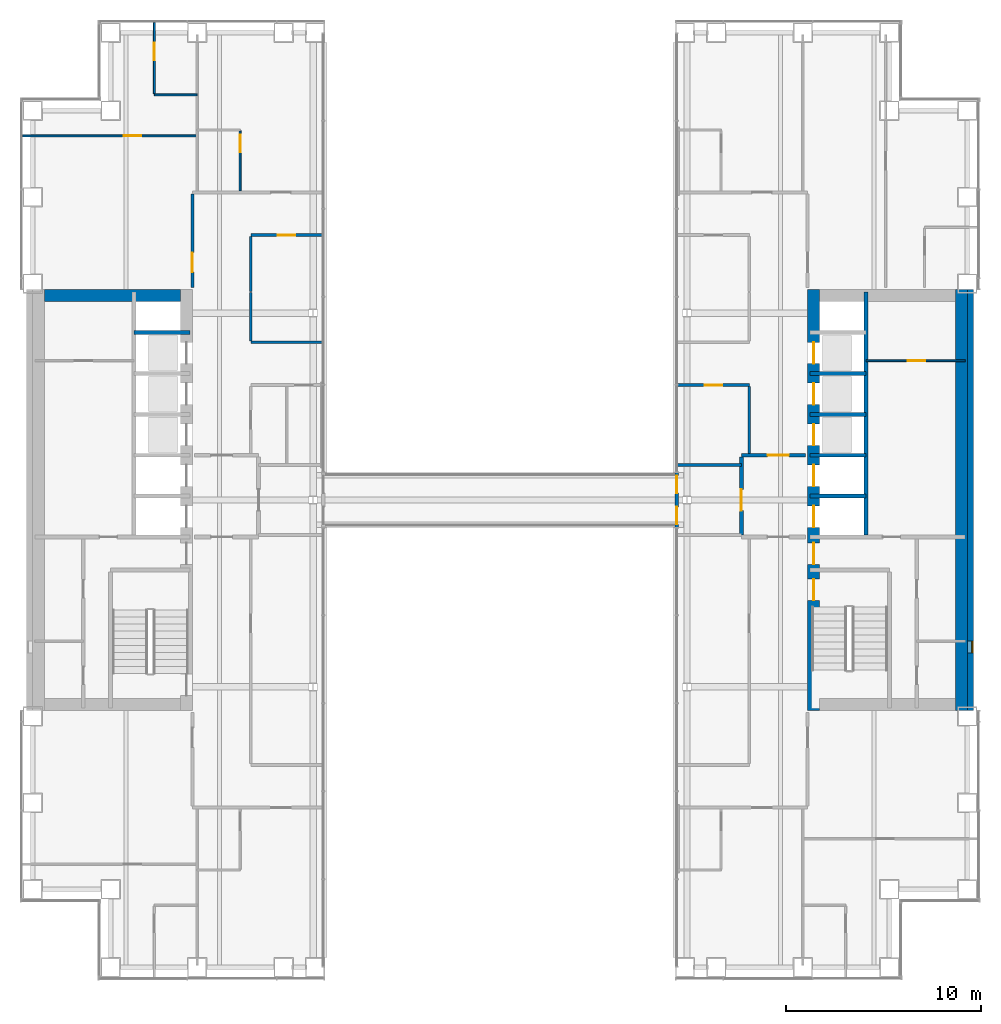
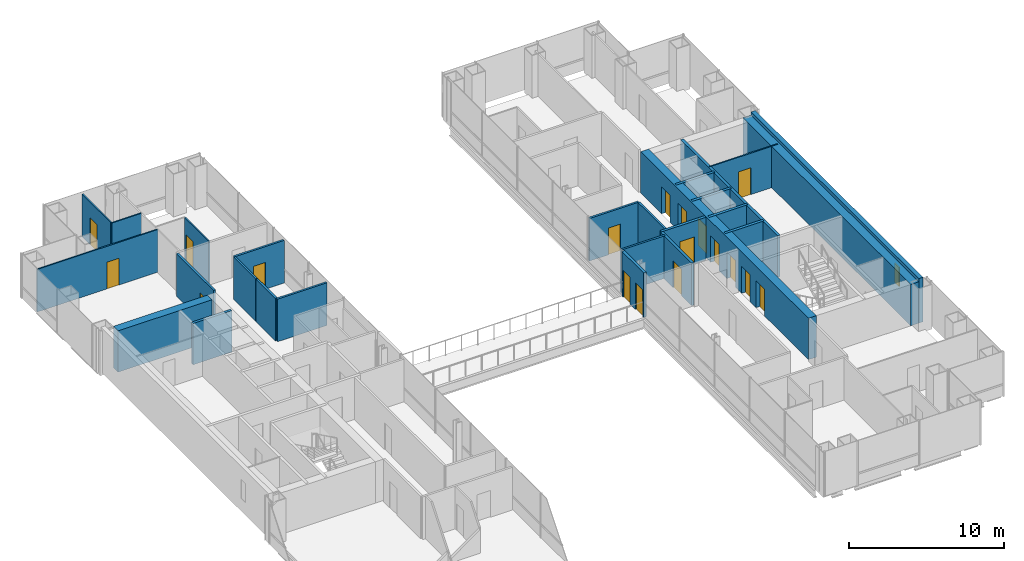
# One storey, part 15 of 18: 26 walls, 18 doors, 1 window, 19 openings.
"""IFC4 building model written with IfcOpenShell, lengths in metres."""

import ifcopenshell
import ifcopenshell.guid

model = None  # the IFC model being written
_history = None  # IfcOwnerHistory: only IFC2X3 demands one
_inside = {}  # id of a spatial element -> (the spatial element, [elements in it])
_under = {}  # id of a project, library or spatial element -> (it, [spatial elements below it])
_declared = {}  # id of a project -> (the project, [libraries it declares])
_typed = {}  # id of a type object -> (the type object, [elements of that type])
_made_of = {}  # id of a material, layer set ... -> (it, [elements and type objects made of it])


def new_model(schema):
    """Start an empty IFC model of exactly this schema.

    Asked for "IFC4X3", IfcOpenShell would pick the latest addendum, in which some entities
    have other attributes; the version numbers below select the first issue.
    IFC2X3 requires an IfcOwnerHistory on every rooted entity: one is made here for all.
    """
    global model, _history
    if schema == "IFC4X3":
        model = ifcopenshell.file(schema_version=(4, 3, 0, 0))
    else:
        model = ifcopenshell.file(schema=schema)
    _inside.clear()
    _under.clear()
    _declared.clear()
    _typed.clear()
    _made_of.clear()
    _history = None
    if model.schema == "IFC2X3":
        org = make("IfcOrganization", Name="unknown")
        user = make(
            "IfcPersonAndOrganization",
            ThePerson=make("IfcPerson", FamilyName="unknown"),
            TheOrganization=org,
        )
        app = make(
            "IfcApplication",
            ApplicationDeveloper=org,
            Version="unknown",
            ApplicationFullName="unknown",
            ApplicationIdentifier="unknown",
        )
        _history = make(
            "IfcOwnerHistory",
            OwningUser=user,
            OwningApplication=app,
            ChangeAction="ADDED",
            CreationDate=0,
        )
    return model


def make(cls, **values):
    """One entity of the class cls with the attributes given. An attribute that is None is left unset."""
    return model.create_entity(
        cls, **{name: value for name, value in values.items() if value is not None}
    )


def rooted(cls, **values):
    """An entity with a GlobalId (a new one), such as an element, a storey or a relation."""
    return make(cls, GlobalId=ifcopenshell.guid.new(), OwnerHistory=_history, **values)


def si_unit(unit_type, name, prefix=None):
    """IfcSIUnit, for example si_unit("LENGTHUNIT", "METRE", prefix="MILLI")."""
    return make("IfcSIUnit", UnitType=unit_type, Prefix=prefix, Name=name)


def assignment(units):
    """IfcUnitAssignment: the units of a project."""
    return None if units is None else make("IfcUnitAssignment", Units=units)


def point(xyz):
    """IfcCartesianPoint."""
    return None if xyz is None else make("IfcCartesianPoint", Coordinates=xyz)


def direction(xyz):
    """IfcDirection."""
    return None if xyz is None else make("IfcDirection", DirectionRatios=xyz)


def frame(location, z_axis=None, x_axis=None):
    """IfcAxis2Placement3D, a coordinate frame: its origin and axes. An axis left out is left unset."""
    return make(
        "IfcAxis2Placement3D",
        Location=point(location),
        Axis=direction(z_axis),
        RefDirection=direction(x_axis),
    )


def frame_2d(location, x_axis=None):
    """IfcAxis2Placement2D, a coordinate frame in the plane: its origin and x axis."""
    return make(
        "IfcAxis2Placement2D", Location=point(location), RefDirection=direction(x_axis)
    )


def origin():
    """The frame at (0, 0, 0) with its axes left unset."""
    return frame((0.0, 0.0, 0.0))


def place(relative_to, where):
    """IfcLocalPlacement: puts the frame where relative to a parent placement (None: the world)."""
    return make(
        "IfcLocalPlacement", PlacementRelTo=relative_to, RelativePlacement=where
    )


def context(
    kind, dimensions, precision=None, world=None, true_north=None, identifier=None
):
    """IfcGeometricRepresentationContext, for example the 3D "Model" context."""
    return make(
        "IfcGeometricRepresentationContext",
        ContextIdentifier=identifier,
        ContextType=kind,
        CoordinateSpaceDimension=dimensions,
        Precision=precision,
        WorldCoordinateSystem=world,
        TrueNorth=true_north,
    )


def subcontext(parent, identifier, kind, view, scale=None):
    """IfcGeometricRepresentationSubContext, for example "Body" below "Model"."""
    return make(
        "IfcGeometricRepresentationSubContext",
        ContextIdentifier=identifier,
        ContextType=kind,
        ParentContext=parent,
        TargetScale=scale,
        TargetView=view,
    )


def project(units=None, contexts=None):
    """IfcProject with its units and contexts."""
    return rooted(
        "IfcProject",
        Name="project",
        RepresentationContexts=contexts,
        UnitsInContext=assignment(units),
    )


def spatial(cls, under=None, at=None, **own):
    """A site, building, storey or space (cls), placed at a placement, below another one or the project."""
    s = rooted(cls, ObjectPlacement=at, **own)
    if under is not None:
        _under.setdefault(under.id(), (under, []))[1].append(s)
    return s


def profile(cls, at=None, kind="AREA", **sizes):
    """A parametric profile (cls). Its sizes go by their IFC names, for example OverallWidth=200.0."""
    return make(cls, ProfileType=kind, Position=at, **sizes)


def rectangle(**sizes):
    """IfcRectangleProfileDef."""
    return profile("IfcRectangleProfileDef", **sizes)


def extrude(swept, where, along, depth):
    """IfcExtrudedAreaSolid: the profile swept, set in the frame where, extruded along a direction by depth."""
    return make(
        "IfcExtrudedAreaSolid",
        SweptArea=swept,
        Position=where,
        ExtrudedDirection=direction(along),
        Depth=depth,
    )


def shape(context_of_items, identifier, shape_type, items):
    """IfcShapeRepresentation: the items that make up one representation, for example the "Body"."""
    return make(
        "IfcShapeRepresentation",
        ContextOfItems=context_of_items,
        RepresentationIdentifier=identifier,
        RepresentationType=shape_type,
        Items=items,
    )


def material(Name=None, Category=None):
    """IfcMaterial."""
    return make("IfcMaterial", Name=Name, Category=Category)


def layer(
    of_material, thickness, ventilated=None, Name=None, Category=None, Priority=None
):
    """IfcMaterialLayer: one layer of a wall or slab, of a material (None: an air gap)."""
    return make(
        "IfcMaterialLayer",
        Material=of_material,
        LayerThickness=thickness,
        IsVentilated=ventilated,
        Name=Name,
        Category=Category,
        Priority=Priority,
    )


def layer_set(layers, Name=None):
    """IfcMaterialLayerSet."""
    return make("IfcMaterialLayerSet", MaterialLayers=layers, LayerSetName=Name)


def made_of(thing, what):
    """Note that an element or type object is made of a material, layer set ...; save() writes the relation."""
    if what is not None:
        _made_of.setdefault(what.id(), (what, []))[1].append(thing)
    return thing


def type_object(cls, material=None, **own):
    """A type object (cls), such as IfcWallType, which elements share."""
    return made_of(rooted(cls, **own), material)


def element(
    cls,
    number,
    at=None,
    inside=None,
    cuts=None,
    type_object=None,
    material=None,
    context=None,
    identifier="Body",
    shape_type=None,
    held_by="IfcProductDefinitionShape",
    body=None,
    shapes=None,
    **own,
):
    """One element of the class cls, such as IfcWall. Its Tag is "e" and its number.

    at: its placement. inside: the storey or other place that contains it. cuts: it is an
    opening in that element (IfcRelVoidsElement). A single representation is given by context,
    identifier, shape_type and body (its items); several are given by shapes. held_by: the class
    of the entity that holds the representations. save() writes the other relations.
    """
    e = rooted(cls, Tag="e%d" % number, ObjectPlacement=at, **own)
    if body is not None:
        shapes = [shape(context, identifier, shape_type, body)]
    if shapes is not None:
        e.Representation = make(held_by, Representations=shapes)
    if inside is not None:
        _inside.setdefault(inside.id(), (inside, []))[1].append(e)
    if cuts is not None:
        rooted(
            "IfcRelVoidsElement", RelatingBuildingElement=cuts, RelatedOpeningElement=e
        )
    if type_object is not None:
        _typed.setdefault(type_object.id(), (type_object, []))[1].append(e)
    return made_of(e, material)


def fill(opening, filler):
    """IfcRelFillsElement: the door or window that sits in an opening."""
    return rooted(
        "IfcRelFillsElement",
        RelatingOpeningElement=opening,
        RelatedBuildingElement=filler,
    )


def aggregate(whole, parts):
    """IfcRelAggregates: a whole, such as a stair, and the parts it consists of."""
    return rooted("IfcRelAggregates", RelatingObject=whole, RelatedObjects=parts)


def save(model, path):
    """Write the relations noted so far, then the file.

    IfcRelAggregates (storeys below a building ...), IfcRelContainedInSpatialStructure (elements
    in a storey), IfcRelDefinesByType, IfcRelAssociatesMaterial and IfcRelDeclares: one each for
    every whole, place, type object, material and project.
    """
    for whole, parts in _under.values():
        aggregate(whole, parts)
    for where, things in _inside.values():
        rooted(
            "IfcRelContainedInSpatialStructure",
            RelatedElements=things,
            RelatingStructure=where,
        )
    for kind, things in _typed.values():
        rooted("IfcRelDefinesByType", RelatedObjects=things, RelatingType=kind)
    for what, things in _made_of.values():
        rooted("IfcRelAssociatesMaterial", RelatedObjects=things, RelatingMaterial=what)
    for by, libraries in _declared.values():
        rooted("IfcRelDeclares", RelatingContext=by, RelatedDefinitions=libraries)
    model.write(path)


model = new_model("IFC4")

# Units and contexts
model_context = context("Model", 3, precision=1e-05, world=origin(), true_north=direction((0.0, 1.0)))
body_context = subcontext(model_context, "Body", "Model", "MODEL_VIEW")
ifc_project = project(units=[si_unit("LENGTHUNIT", "METRE"), si_unit("AREAUNIT", "SQUARE_METRE"), si_unit("VOLUMEUNIT", "CUBIC_METRE"), si_unit("PLANEANGLEUNIT", "RADIAN"), si_unit("MASSUNIT", "GRAM", prefix="KILO")], contexts=[model_context])

# Site, building, storey
site_placement = place(None, origin())
site = spatial("IfcSite", under=ifc_project, at=site_placement, CompositionType="ELEMENT")
building_placement = place(site_placement, origin())
building = spatial("IfcBuilding", under=site, at=building_placement, Name="Cobrizo Arcos Hotel Tower", CompositionType="ELEMENT")
storey_placement = place(building_placement, frame((0.0, 0.0, 77.5)))
storey = spatial("IfcBuildingStorey", under=building, at=storey_placement, Name="L18", CompositionType="ELEMENT", Elevation=77.5)

# Wall
ifc_material_1 = material(Name="Gypsum board partition")
ifc_layer_1 = layer(ifc_material_1, 0.14990234375)
ifc_layer_set_1 = layer_set([ifc_layer_1], Name="Corridor wall EI 60 150")
wall_type_1 = type_object("IfcWallType", Name="Corridor wall EI 60 150", PredefinedType="PARTITIONING", material=ifc_layer_set_1)
wall_1_placement = place(storey_placement, frame((9.1201171875, 1.800048828125, 0.0), z_axis=(0.0, 0.0, 1.0), x_axis=(1.0, 0.0, 0.0)))
element("IfcWall", 1, at=wall_1_placement, inside=storey, type_object=wall_type_1, Name="Partition 024", PredefinedType="PARTITIONING", context=body_context, shape_type="SweptSolid", body=[
    extrude(rectangle(XDim=3.27978515625, YDim=0.14990234375, at=frame_2d((1.639892578125, 0.0))), origin(), (0.0, 0.0, 1.0), 3.35009765625),
])

# Wall, opening, door
wall_2_placement = place(storey_placement, frame((9.1201171875, 5.89990234375, 0.0), z_axis=(0.0, 0.0, 1.0), x_axis=(1.0, 0.0, 0.0)))
wall_2 = element("IfcWall", 2, at=wall_2_placement, inside=storey, type_object=wall_type_1, Name="Partition 032", PredefinedType="PARTITIONING", context=body_context, shape_type="SweptSolid", body=[
    extrude(rectangle(XDim=3.679931640625, YDim=0.14990234375, at=frame_2d((1.83984375, 0.0))), origin(), (0.0, 0.0, 1.0), 3.35009765625),
])
opening_1_placement = place(wall_2_placement, frame((1.405029296875, 0.0, 0.0)))
opening_1 = element("IfcOpeningElement", 3, at=opening_1_placement, cuts=wall_2, Name="Opening RD-13", PredefinedType="OPENING", context=body_context, shape_type="SweptSolid", body=[
    extrude(rectangle(XDim=0.89990234375, YDim=2.10009765625, at=frame_2d((0.449951171875, 1.050048828125))), frame((0.0, 0.0869140625, 0.0), z_axis=(0.0, -1.0, 0.0), x_axis=(1.0, 0.0, 0.0)), (0.0, 0.0, 1.0), 0.173828125),
])
ifc_material_2 = material(Name="Timber door leaf", Category="wood")
door_type_1 = type_object("IfcDoorType", Name="Room door FD30 900x2100", OperationType="SINGLE_SWING_LEFT", PredefinedType="DOOR", material=ifc_material_2)
door_1_placement = place(opening_1_placement, origin())
door_1 = element("IfcDoor", 4, at=door_1_placement, inside=storey, type_object=door_type_1, Name="Door RD-13", OperationType="SINGLE_SWING_LEFT", OverallHeight=2.10009765625, OverallWidth=0.89990234375, PredefinedType="DOOR", context=body_context, shape_type="SweptSolid", body=[
    extrude(rectangle(XDim=0.89990234375, YDim=2.10009765625, at=frame_2d((0.449951171875, 1.050048828125))), frame((0.0, 0.02490234375, 0.0), z_axis=(0.0, -1.0, 0.0), x_axis=(1.0, 0.0, 0.0)), (0.0, 0.0, 1.0), 0.050048828125),
])
fill(opening_1, door_1)

# Wall
wall_3_placement = place(storey_placement, frame((-12.800048828125, 8.10009765625, 0.0), z_axis=(0.0, 0.0, 1.0), x_axis=(1.0, 0.0, 0.0)))
element("IfcWall", 5, at=wall_3_placement, inside=storey, type_object=wall_type_1, Name="Partition 037", PredefinedType="PARTITIONING", context=body_context, shape_type="SweptSolid", body=[
    extrude(rectangle(XDim=3.679931640625, YDim=0.14990234375, at=frame_2d((1.83984375, 0.0))), origin(), (0.0, 0.0, 1.0), 3.35009765625),
])

# Wall, opening, door
wall_4_placement = place(storey_placement, frame((-12.800048828125, 13.60009765625, 0.0), z_axis=(0.0, 0.0, 1.0), x_axis=(1.0, 0.0, 0.0)))
wall_4 = element("IfcWall", 6, at=wall_4_placement, inside=storey, type_object=wall_type_1, Name="Partition 041", PredefinedType="PARTITIONING", context=body_context, shape_type="SweptSolid", body=[
    extrude(rectangle(XDim=3.679931640625, YDim=0.14990234375, at=frame_2d((1.83984375, 0.0))), origin(), (0.0, 0.0, 1.0), 3.35009765625),
])
opening_2_placement = place(wall_4_placement, frame((1.375, 0.0, 0.0)))
opening_2 = element("IfcOpeningElement", 7, at=opening_2_placement, cuts=wall_4, Name="Opening RD-15", PredefinedType="OPENING", context=body_context, shape_type="SweptSolid", body=[
    extrude(rectangle(XDim=0.89990234375, YDim=2.10009765625, at=frame_2d((0.449951171875, 1.050048828125))), frame((0.0, 0.0869140625, 0.0), z_axis=(0.0, -1.0, 0.0), x_axis=(1.0, 0.0, 0.0)), (0.0, 0.0, 1.0), 0.173828125),
])
door_2_placement = place(opening_2_placement, origin())
door_2 = element("IfcDoor", 8, at=door_2_placement, inside=storey, type_object=door_type_1, Name="Door RD-15", OperationType="SINGLE_SWING_RIGHT", OverallHeight=2.10009765625, OverallWidth=0.89990234375, PredefinedType="DOOR", context=body_context, shape_type="SweptSolid", body=[
    extrude(rectangle(XDim=0.89990234375, YDim=2.10009765625, at=frame_2d((0.449951171875, 1.050048828125))), frame((0.0, 0.02490234375, 0.0), z_axis=(0.0, -1.0, 0.0), x_axis=(1.0, 0.0, 0.0)), (0.0, 0.0, 1.0), 0.050048828125),
])
fill(opening_2, door_2)

wall_5_placement = place(storey_placement, frame((-15.800048828125, 10.919921875, 0.0), z_axis=(0.0, 0.0, 1.0), x_axis=(0.0, 1.0, 0.0)))
wall_5 = element("IfcWall", 9, at=wall_5_placement, inside=storey, type_object=wall_type_1, Name="Partition 056", PredefinedType="PARTITIONING", context=body_context, shape_type="SweptSolid", body=[
    extrude(rectangle(XDim=4.80517578125, YDim=0.14990234375, at=frame_2d((2.402587890625, 0.0))), origin(), (0.0, 0.0, 1.0), 3.35009765625),
])
opening_3_placement = place(wall_5_placement, frame((0.780029296875, 0.0, 0.0)))
opening_3 = element("IfcOpeningElement", 10, at=opening_3_placement, cuts=wall_5, Name="Opening GD-06", PredefinedType="OPENING", context=body_context, shape_type="SweptSolid", body=[
    extrude(rectangle(XDim=1.0, YDim=2.10009765625, at=frame_2d((0.5, 1.050048828125))), frame((0.0, 0.0869140625, 0.0), z_axis=(0.0, -1.0, 0.0), x_axis=(1.0, 0.0, 0.0)), (0.0, 0.0, 1.0), 0.173828125),
])
door_type_2 = type_object("IfcDoorType", Name="Guest room door FD30S 1000x2100", OperationType="SINGLE_SWING_LEFT", PredefinedType="DOOR", material=ifc_material_2)
door_3_placement = place(opening_3_placement, origin())
door_3 = element("IfcDoor", 11, at=door_3_placement, inside=storey, type_object=door_type_2, Name="Door GD-06", OperationType="SINGLE_SWING_LEFT", OverallHeight=2.10009765625, OverallWidth=1.0, PredefinedType="DOOR", context=body_context, shape_type="SweptSolid", body=[
    extrude(rectangle(XDim=1.0, YDim=2.10009765625, at=frame_2d((0.5, 1.050048828125))), frame((0.0, 0.02490234375, 0.0), z_axis=(0.0, -1.0, 0.0), x_axis=(1.0, 0.0, 0.0)), (0.0, 0.0, 1.0), 0.050048828125),
])
fill(opening_3, door_3)

# Walls
wall_6_placement = place(storey_placement, frame((-12.800048828125, 8.175048828125, 0.0), z_axis=(0.0, 0.0, 1.0), x_axis=(0.0, 1.0, 0.0)))
element("IfcWall", 12, at=wall_6_placement, inside=storey, type_object=wall_type_1, Name="Partition 063", PredefinedType="PARTITIONING", context=body_context, shape_type="SweptSolid", body=[
    extrude(rectangle(XDim=2.474853515625, YDim=0.14990234375, at=frame_2d((1.2373046875, 0.0))), origin(), (0.0, 0.0, 1.0), 3.35009765625),
])
wall_7_placement = place(storey_placement, frame((-12.800048828125, 10.699951171875, 0.0), z_axis=(0.0, 0.0, 1.0), x_axis=(0.0, 1.0, 0.0)))
element("IfcWall", 13, at=wall_7_placement, inside=storey, type_object=wall_type_1, Name="Partition 064", PredefinedType="PARTITIONING", context=body_context, shape_type="SweptSolid", body=[
    extrude(rectangle(XDim=2.824951171875, YDim=0.14990234375, at=frame_2d((1.41259765625, 0.0))), origin(), (0.0, 0.0, 1.0), 3.35009765625),
])
wall_8_placement = place(storey_placement, frame((12.800048828125, 2.39990234375, 0.0), z_axis=(0.0, 0.0, 1.0), x_axis=(0.0, 1.0, 0.0)))
element("IfcWall", 14, at=wall_8_placement, inside=storey, type_object=wall_type_1, Name="Partition 074", PredefinedType="PARTITIONING", context=body_context, shape_type="SweptSolid", body=[
    extrude(rectangle(XDim=3.425048828125, YDim=0.14990234375, at=frame_2d((1.71240234375, 0.0))), origin(), (0.0, 0.0, 1.0), 3.35009765625),
])

# Wall, opening, window
ifc_material_3 = material(Name="Aluminium composite panel pale metal", Category="aluminium")
ifc_layer_2 = layer(ifc_material_3, 0.324951171875)
ifc_layer_set_2 = layer_set([ifc_layer_2], Name="EW-1 insulated panel wall 325")
wall_type_2 = type_object("IfcWallType", Name="EW-1 insulated panel wall 325", PredefinedType="SOLIDWALL", material=ifc_layer_set_2)
wall_9_placement = place(storey_placement, frame((24.16259765625, -10.800048828125, 0.0), z_axis=(0.0, 0.0, 1.0), x_axis=(0.0, 1.0, 0.0)))
wall_9 = element("IfcWall", 15, at=wall_9_placement, inside=storey, type_object=wall_type_2, Name="Core face wall L18 E", PredefinedType="SOLIDWALL", context=body_context, shape_type="SweptSolid", body=[
    extrude(rectangle(XDim=21.60009765625, YDim=0.324951171875, at=frame_2d((10.800048828125, 0.0))), origin(), (0.0, 0.0, 1.0), 3.5),
])
opening_4_placement = place(wall_9_placement, frame((2.949951171875, 0.0, 1.0)))
opening_4 = element("IfcOpeningElement", 16, at=opening_4_placement, cuts=wall_9, Name="Opening W-31", PredefinedType="OPENING", context=body_context, shape_type="SweptSolid", body=[
    extrude(rectangle(XDim=0.60009765625, YDim=1.5, at=frame_2d((0.300048828125, 0.75))), frame((0.0, 0.174560546875, 0.0), z_axis=(0.0, -1.0, 0.0), x_axis=(1.0, 0.0, 0.0)), (0.0, 0.0, 1.0), 0.348876953125),
])
ifc_material_4 = material(Name="Aluminium 6063-T6 and clear laminated glass", Category="aluminium")
window_type = type_object("IfcWindowType", Name="W-C1 core stair slot window 600x1500", PartitioningType="SINGLE_PANEL", PredefinedType="WINDOW", material=ifc_material_4)
window_placement = place(opening_4_placement, origin())
window = element("IfcWindow", 17, at=window_placement, inside=storey, type_object=window_type, Name="Core face wall L18 E window W-31", OverallHeight=1.5, OverallWidth=0.60009765625, PartitioningType="SINGLE_PANEL", PredefinedType="WINDOW", context=body_context, shape_type="SweptSolid", body=[
    extrude(rectangle(XDim=0.60009765625, YDim=1.5, at=frame_2d((0.300048828125, 0.75))), frame((0.0, -0.072509765625, 0.0), z_axis=(0.0, -1.0, 0.0), x_axis=(1.0, 0.0, 0.0)), (0.0, 0.0, 1.0), 0.06005859375),
])
fill(opening_4, window)

# Wall, openings, doors
ifc_material_5 = material(Name="Aluminium 6063-T6 anodised pale", Category="aluminium")
ifc_layer_3 = layer(ifc_material_5, 0.199951171875)
ifc_layer_set_3 = layer_set([ifc_layer_3], Name="EW-4 sky bridge door frame wall")
wall_type_3 = type_object("IfcWallType", Name="EW-4 sky bridge door frame wall", PredefinedType="SOLIDWALL", material=ifc_layer_set_3)
wall_10_placement = place(storey_placement, frame((9.074951171875, -1.39990234375, 0.0), z_axis=(0.0, 0.0, 1.0), x_axis=(0.0, 1.0, 0.0)))
wall_10 = element("IfcWall", 18, at=wall_10_placement, inside=storey, type_object=wall_type_3, Name="Sky bridge door wall A E", PredefinedType="SOLIDWALL", context=body_context, shape_type="SweptSolid", body=[
    extrude(rectangle(XDim=2.7998046875, YDim=0.199951171875, at=frame_2d((1.39990234375, 0.0))), origin(), (0.0, 0.0, 1.0), 3.5),
])
opening_5_placement = place(wall_10_placement, frame((0.14990234375, 0.0, 0.0)))
opening_5 = element("IfcOpeningElement", 19, at=opening_5_placement, cuts=wall_10, Name="Opening E-36", PredefinedType="OPENING", context=body_context, shape_type="SweptSolid", body=[
    extrude(rectangle(XDim=0.89990234375, YDim=2.10009765625, at=frame_2d((0.449951171875, 1.050048828125))), frame((0.0, 0.112060546875, 0.0), z_axis=(0.0, -1.0, 0.0), x_axis=(1.0, 0.0, 0.0)), (0.0, 0.0, 1.0), 0.223876953125),
])
opening_6_placement = place(wall_10_placement, frame((1.75, 0.0, 0.0)))
opening_6 = element("IfcOpeningElement", 20, at=opening_6_placement, cuts=wall_10, Name="Opening E-37", PredefinedType="OPENING", context=body_context, shape_type="SweptSolid", body=[
    extrude(rectangle(XDim=0.89990234375, YDim=2.10009765625, at=frame_2d((0.449951171875, 1.050048828125))), frame((0.0, 0.112060546875, 0.0), z_axis=(0.0, -1.0, 0.0), x_axis=(1.0, 0.0, 0.0)), (0.0, 0.0, 1.0), 0.223876953125),
])
door_type_3 = type_object("IfcDoorType", Name="D-B2 sky bridge single door 900x2100", OperationType="SINGLE_SWING_LEFT", PredefinedType="DOOR", material=ifc_material_4)
door_4_placement = place(opening_5_placement, origin())
door_4 = element("IfcDoor", 21, at=door_4_placement, inside=storey, type_object=door_type_3, Name="Sky bridge door wall A E door E-36", OperationType="SINGLE_SWING_LEFT", OverallHeight=2.10009765625, OverallWidth=0.89990234375, PredefinedType="DOOR", context=body_context, shape_type="SweptSolid", body=[
    extrude(rectangle(XDim=0.89990234375, YDim=2.10009765625, at=frame_2d((0.449951171875, 1.050048828125))), frame((0.0, 0.02490234375, 0.0), z_axis=(0.0, -1.0, 0.0), x_axis=(1.0, 0.0, 0.0)), (0.0, 0.0, 1.0), 0.050048828125),
])
fill(opening_5, door_4)
door_5_placement = place(opening_6_placement, origin())
door_5 = element("IfcDoor", 22, at=door_5_placement, inside=storey, type_object=door_type_3, Name="Sky bridge door wall A E door E-37", OperationType="SINGLE_SWING_RIGHT", OverallHeight=2.10009765625, OverallWidth=0.89990234375, PredefinedType="DOOR", context=body_context, shape_type="SweptSolid", body=[
    extrude(rectangle(XDim=0.89990234375, YDim=2.10009765625, at=frame_2d((0.449951171875, 1.050048828125))), frame((0.0, 0.02490234375, 0.0), z_axis=(0.0, -1.0, 0.0), x_axis=(1.0, 0.0, 0.0)), (0.0, 0.0, 1.0), 0.050048828125),
])
fill(opening_6, door_5)

# Wall, opening, door
ifc_layer_4 = layer(ifc_material_1, 0.10009765625)
ifc_layer_set_4 = layer_set([ifc_layer_4], Name="Partition EI 30 100")
wall_type_4 = type_object("IfcWallType", Name="Partition EI 30 100", PredefinedType="PARTITIONING", material=ifc_layer_set_4)
wall_11_placement = place(storey_placement, frame((18.800048828125, 7.14990234375, 0.0), z_axis=(0.0, 0.0, 1.0), x_axis=(1.0, 0.0, 0.0)))
wall_11 = element("IfcWall", 23, at=wall_11_placement, inside=storey, type_object=wall_type_4, Name="Partition 036", PredefinedType="PARTITIONING", context=body_context, shape_type="SweptSolid", body=[
    extrude(rectangle(XDim=5.079833984375, YDim=0.10009765625, at=frame_2d((2.5400390625, 0.0))), origin(), (0.0, 0.0, 1.0), 3.25),
])
opening_7_placement = place(wall_11_placement, frame((2.14990234375, 0.0, 0.0)))
opening_7 = element("IfcOpeningElement", 24, at=opening_7_placement, cuts=wall_11, Name="Opening RD-08", PredefinedType="OPENING", context=body_context, shape_type="SweptSolid", body=[
    extrude(rectangle(XDim=0.89990234375, YDim=2.10009765625, at=frame_2d((0.449951171875, 1.050048828125))), frame((0.0, 0.06201171875, 0.0), z_axis=(0.0, -1.0, 0.0), x_axis=(1.0, 0.0, 0.0)), (0.0, 0.0, 1.0), 0.1240234375),
])
door_6_placement = place(opening_7_placement, origin())
door_6 = element("IfcDoor", 25, at=door_6_placement, inside=storey, type_object=door_type_1, Name="Door RD-08", OperationType="SINGLE_SWING_LEFT", OverallHeight=2.10009765625, OverallWidth=0.89990234375, PredefinedType="DOOR", context=body_context, shape_type="SweptSolid", body=[
    extrude(rectangle(XDim=0.89990234375, YDim=2.10009765625, at=frame_2d((0.449951171875, 1.050048828125))), frame((0.0, 0.02490234375, 0.0), z_axis=(0.0, -1.0, 0.0), x_axis=(1.0, 0.0, 0.0)), (0.0, 0.0, 1.0), 0.050048828125),
])
fill(opening_7, door_6)

wall_12_placement = place(storey_placement, frame((-24.530029296875, 18.699951171875, 0.0), z_axis=(0.0, 0.0, 1.0), x_axis=(1.0, 0.0, 0.0)))
wall_12 = element("IfcWall", 26, at=wall_12_placement, inside=storey, type_object=wall_type_4, Name="Partition 046", PredefinedType="PARTITIONING", context=body_context, shape_type="SweptSolid", body=[
    extrude(rectangle(XDim=8.97998046875, YDim=0.10009765625, at=frame_2d((4.489990234375, 0.0))), origin(), (0.0, 0.0, 1.0), 3.35009765625),
])
opening_8_placement = place(wall_12_placement, frame((5.201904296875, 0.0, 0.0)))
opening_8 = element("IfcOpeningElement", 27, at=opening_8_placement, cuts=wall_12, Name="Opening RD-10", PredefinedType="OPENING", context=body_context, shape_type="SweptSolid", body=[
    extrude(rectangle(XDim=0.89990234375, YDim=2.10009765625, at=frame_2d((0.449951171875, 1.050048828125))), frame((0.0, 0.06201171875, 0.0), z_axis=(0.0, -1.0, 0.0), x_axis=(1.0, 0.0, 0.0)), (0.0, 0.0, 1.0), 0.1240234375),
])
door_7_placement = place(opening_8_placement, origin())
door_7 = element("IfcDoor", 28, at=door_7_placement, inside=storey, type_object=door_type_1, Name="Door RD-10", OperationType="SINGLE_SWING_LEFT", OverallHeight=2.10009765625, OverallWidth=0.89990234375, PredefinedType="DOOR", context=body_context, shape_type="SweptSolid", body=[
    extrude(rectangle(XDim=0.89990234375, YDim=2.10009765625, at=frame_2d((0.449951171875, 1.050048828125))), frame((0.0, 0.02490234375, 0.0), z_axis=(0.0, -1.0, 0.0), x_axis=(1.0, 0.0, 0.0)), (0.0, 0.0, 1.0), 0.050048828125),
])
fill(opening_8, door_7)

# Wall
wall_13_placement = place(storey_placement, frame((-17.75, 20.800048828125, 0.0), z_axis=(0.0, 0.0, 1.0), x_axis=(1.0, 0.0, 0.0)))
element("IfcWall", 29, at=wall_13_placement, inside=storey, type_object=wall_type_4, Name="Partition 049", PredefinedType="PARTITIONING", context=body_context, shape_type="SweptSolid", body=[
    extrude(rectangle(XDim=2.199951171875, YDim=0.10009765625, at=frame_2d((1.10009765625, 0.0))), origin(), (0.0, 0.0, 1.0), 3.35009765625),
])

# Wall, opening, door
wall_14_placement = place(storey_placement, frame((-17.75, 20.85009765625, 0.0), z_axis=(0.0, 0.0, 1.0), x_axis=(0.0, 1.0, 0.0)))
wall_14 = element("IfcWall", 30, at=wall_14_placement, inside=storey, type_object=wall_type_4, Name="Partition 054", PredefinedType="PARTITIONING", context=body_context, shape_type="SweptSolid", body=[
    extrude(rectangle(XDim=3.679931640625, YDim=0.10009765625, at=frame_2d((1.83984375, 0.0))), origin(), (0.0, 0.0, 1.0), 3.35009765625),
])
opening_9_placement = place(wall_14_placement, frame((1.739990234375, 0.0, 0.0)))
opening_9 = element("IfcOpeningElement", 31, at=opening_9_placement, cuts=wall_14, Name="Opening ED-06", PredefinedType="OPENING", context=body_context, shape_type="SweptSolid", body=[
    extrude(rectangle(XDim=0.89990234375, YDim=2.10009765625, at=frame_2d((0.449951171875, 1.050048828125))), frame((0.0, 0.06201171875, 0.0), z_axis=(0.0, -1.0, 0.0), x_axis=(1.0, 0.0, 0.0)), (0.0, 0.0, 1.0), 0.1240234375),
])
door_type_4 = type_object("IfcDoorType", Name="En-suite door 900x2100", OperationType="SINGLE_SWING_LEFT", PredefinedType="DOOR", material=ifc_material_2)
door_8_placement = place(opening_9_placement, origin())
door_8 = element("IfcDoor", 32, at=door_8_placement, inside=storey, type_object=door_type_4, Name="Door ED-06", OperationType="SINGLE_SWING_RIGHT", OverallHeight=2.10009765625, OverallWidth=0.89990234375, PredefinedType="DOOR", context=body_context, shape_type="SweptSolid", body=[
    extrude(rectangle(XDim=0.89990234375, YDim=2.10009765625, at=frame_2d((0.449951171875, 1.050048828125))), frame((0.0, 0.02490234375, 0.0), z_axis=(0.0, -1.0, 0.0), x_axis=(1.0, 0.0, 0.0)), (0.0, 0.0, 1.0), 0.050048828125),
])
fill(opening_9, door_8)

wall_15_placement = place(storey_placement, frame((-13.35009765625, 15.875, 0.0), z_axis=(0.0, 0.0, 1.0), x_axis=(0.0, 1.0, 0.0)))
wall_15 = element("IfcWall", 33, at=wall_15_placement, inside=storey, type_object=wall_type_4, Name="Partition 060", PredefinedType="PARTITIONING", context=body_context, shape_type="SweptSolid", body=[
    extrude(rectangle(XDim=3.074951171875, YDim=0.10009765625, at=frame_2d((1.53759765625, 0.0))), origin(), (0.0, 0.0, 1.0), 3.35009765625),
])
opening_10_placement = place(wall_15_placement, frame((1.970947265625, 0.0, 0.0)))
opening_10 = element("IfcOpeningElement", 34, at=opening_10_placement, cuts=wall_15, Name="Opening ED-02", PredefinedType="OPENING", context=body_context, shape_type="SweptSolid", body=[
    extrude(rectangle(XDim=0.89990234375, YDim=2.10009765625, at=frame_2d((0.449951171875, 1.050048828125))), frame((0.0, 0.06201171875, 0.0), z_axis=(0.0, -1.0, 0.0), x_axis=(1.0, 0.0, 0.0)), (0.0, 0.0, 1.0), 0.1240234375),
])
door_9_placement = place(opening_10_placement, origin())
door_9 = element("IfcDoor", 35, at=door_9_placement, inside=storey, type_object=door_type_4, Name="Door ED-02", OperationType="SINGLE_SWING_RIGHT", OverallHeight=2.10009765625, OverallWidth=0.89990234375, PredefinedType="DOOR", context=body_context, shape_type="SweptSolid", body=[
    extrude(rectangle(XDim=0.89990234375, YDim=2.10009765625, at=frame_2d((0.449951171875, 1.050048828125))), frame((0.0, 0.02490234375, 0.0), z_axis=(0.0, -1.0, 0.0), x_axis=(1.0, 0.0, 0.0)), (0.0, 0.0, 1.0), 0.050048828125),
])
fill(opening_10, door_9)

# Wall, openings, doors
ifc_material_6 = material(Name="Concrete f'c 60 MPa", Category="concrete")
ifc_layer_5 = layer(ifc_material_6, 0.60009765625)
ifc_layer_set_5 = layer_set([ifc_layer_5], Name="RC core wall 600 f'c 60")
wall_type_5 = type_object("IfcWallType", Name="RC core wall 600 f'c 60", PredefinedType="SHEAR", material=ifc_layer_set_5)
wall_16_placement = place(storey_placement, frame((16.10009765625, -10.800048828125, 0.0), z_axis=(0.0, 0.0, 1.0), x_axis=(0.0, 1.0, 0.0)))
wall_16 = element("IfcWall", 36, at=wall_16_placement, inside=storey, type_object=wall_type_5, Name="Core wall CW1, east core, inner face, L18", PredefinedType="SHEAR", context=body_context, shape_type="SweptSolid", body=[
    extrude(rectangle(XDim=21.60009765625, YDim=0.60009765625, at=frame_2d((10.800048828125, 0.0))), origin(), (0.0, 0.0, 1.0), 3.25),
])
opening_11_placement = place(wall_16_placement, frame((9.39990234375, 0.0, 0.0)))
opening_11 = element("IfcOpeningElement", 37, at=opening_11_placement, cuts=wall_16, Name="Opening LD-06", PredefinedType="OPENING", context=body_context, shape_type="SweptSolid", body=[
    extrude(rectangle(XDim=1.10009765625, YDim=2.10009765625, at=frame_2d((0.550048828125, 1.050048828125))), frame((0.0, 0.31201171875, 0.0), z_axis=(0.0, -1.0, 0.0), x_axis=(1.0, 0.0, 0.0)), (0.0, 0.0, 1.0), 0.6240234375),
])
opening_12_placement = place(wall_16_placement, frame((11.5, 0.0, 0.0)))
opening_12 = element("IfcOpeningElement", 38, at=opening_12_placement, cuts=wall_16, Name="Opening LD-07", PredefinedType="OPENING", context=body_context, shape_type="SweptSolid", body=[
    extrude(rectangle(XDim=1.10009765625, YDim=2.10009765625, at=frame_2d((0.550048828125, 1.050048828125))), frame((0.0, 0.31201171875, 0.0), z_axis=(0.0, -1.0, 0.0), x_axis=(1.0, 0.0, 0.0)), (0.0, 0.0, 1.0), 0.6240234375),
])
opening_13_placement = place(wall_16_placement, frame((13.60009765625, 0.0, 0.0)))
opening_13 = element("IfcOpeningElement", 39, at=opening_13_placement, cuts=wall_16, Name="Opening LD-08", PredefinedType="OPENING", context=body_context, shape_type="SweptSolid", body=[
    extrude(rectangle(XDim=1.10009765625, YDim=2.10009765625, at=frame_2d((0.550048828125, 1.050048828125))), frame((0.0, 0.31201171875, 0.0), z_axis=(0.0, -1.0, 0.0), x_axis=(1.0, 0.0, 0.0)), (0.0, 0.0, 1.0), 0.6240234375),
])
opening_14_placement = place(wall_16_placement, frame((15.699951171875, 0.0, 0.0)))
opening_14 = element("IfcOpeningElement", 40, at=opening_14_placement, cuts=wall_16, Name="Opening LD-09", PredefinedType="OPENING", context=body_context, shape_type="SweptSolid", body=[
    extrude(rectangle(XDim=1.10009765625, YDim=2.10009765625, at=frame_2d((0.550048828125, 1.050048828125))), frame((0.0, 0.31201171875, 0.0), z_axis=(0.0, -1.0, 0.0), x_axis=(1.0, 0.0, 0.0)), (0.0, 0.0, 1.0), 0.6240234375),
])
opening_15_placement = place(wall_16_placement, frame((17.800048828125, 0.0, 0.0)))
opening_15 = element("IfcOpeningElement", 41, at=opening_15_placement, cuts=wall_16, Name="Opening LD-10", PredefinedType="OPENING", context=body_context, shape_type="SweptSolid", body=[
    extrude(rectangle(XDim=1.10009765625, YDim=2.10009765625, at=frame_2d((0.550048828125, 1.050048828125))), frame((0.0, 0.31201171875, 0.0), z_axis=(0.0, -1.0, 0.0), x_axis=(1.0, 0.0, 0.0)), (0.0, 0.0, 1.0), 0.6240234375),
])
opening_16_placement = place(wall_16_placement, frame((5.64208984375, 0.0, 0.0)))
opening_16 = element("IfcOpeningElement", 42, at=opening_16_placement, cuts=wall_16, Name="Opening SD-02", PredefinedType="OPENING", context=body_context, shape_type="SweptSolid", body=[
    extrude(rectangle(XDim=1.10009765625, YDim=2.10009765625, at=frame_2d((0.550048828125, 1.050048828125))), frame((0.0, 0.31201171875, 0.0), z_axis=(0.0, -1.0, 0.0), x_axis=(1.0, 0.0, 0.0)), (0.0, 0.0, 1.0), 0.6240234375),
])
opening_17_placement = place(wall_16_placement, frame((7.5, 0.0, 0.0)))
opening_17 = element("IfcOpeningElement", 43, at=opening_17_placement, cuts=wall_16, Name="Opening FD-05", PredefinedType="OPENING", context=body_context, shape_type="SweptSolid", body=[
    extrude(rectangle(XDim=1.10009765625, YDim=2.10009765625, at=frame_2d((0.550048828125, 1.050048828125))), frame((0.0, 0.31201171875, 0.0), z_axis=(0.0, -1.0, 0.0), x_axis=(1.0, 0.0, 0.0)), (0.0, 0.0, 1.0), 0.6240234375),
])
ifc_material_7 = material(Name="Steel door leaf", Category="steel")
door_type_5 = type_object("IfcDoorType", Name="Fire door FD60 1100x2100", OperationType="SINGLE_SWING_LEFT", PredefinedType="DOOR", material=ifc_material_7)
door_10_placement = place(opening_17_placement, origin())
door_10 = element("IfcDoor", 44, at=door_10_placement, inside=storey, type_object=door_type_5, Name="Door FD-05", OperationType="SINGLE_SWING_LEFT", OverallHeight=2.10009765625, OverallWidth=1.10009765625, PredefinedType="DOOR", context=body_context, shape_type="SweptSolid", body=[
    extrude(rectangle(XDim=1.10009765625, YDim=2.10009765625, at=frame_2d((0.550048828125, 1.050048828125))), frame((0.0, 0.02490234375, 0.0), z_axis=(0.0, -1.0, 0.0), x_axis=(1.0, 0.0, 0.0)), (0.0, 0.0, 1.0), 0.050048828125),
])
fill(opening_17, door_10)
door_type_6 = type_object("IfcDoorType", Name="Lift landing door 1100x2100", OperationType="SLIDING_TO_LEFT", PredefinedType="DOOR", material=ifc_material_7)
door_11_placement = place(opening_11_placement, origin())
door_11 = element("IfcDoor", 45, at=door_11_placement, inside=storey, type_object=door_type_6, Name="Lift landing door LD-06", OperationType="SLIDING_TO_LEFT", OverallHeight=2.10009765625, OverallWidth=1.10009765625, PredefinedType="DOOR", context=body_context, shape_type="SweptSolid", body=[
    extrude(rectangle(XDim=1.10009765625, YDim=2.10009765625, at=frame_2d((0.550048828125, 1.050048828125))), frame((0.0, 0.02490234375, 0.0), z_axis=(0.0, -1.0, 0.0), x_axis=(1.0, 0.0, 0.0)), (0.0, 0.0, 1.0), 0.050048828125),
])
fill(opening_11, door_11)
door_12_placement = place(opening_12_placement, origin())
door_12 = element("IfcDoor", 46, at=door_12_placement, inside=storey, type_object=door_type_6, Name="Lift landing door LD-07", OperationType="SLIDING_TO_LEFT", OverallHeight=2.10009765625, OverallWidth=1.10009765625, PredefinedType="DOOR", context=body_context, shape_type="SweptSolid", body=[
    extrude(rectangle(XDim=1.10009765625, YDim=2.10009765625, at=frame_2d((0.550048828125, 1.050048828125))), frame((0.0, 0.02490234375, 0.0), z_axis=(0.0, -1.0, 0.0), x_axis=(1.0, 0.0, 0.0)), (0.0, 0.0, 1.0), 0.050048828125),
])
fill(opening_12, door_12)
door_13_placement = place(opening_13_placement, origin())
door_13 = element("IfcDoor", 47, at=door_13_placement, inside=storey, type_object=door_type_6, Name="Lift landing door LD-08", OperationType="SLIDING_TO_LEFT", OverallHeight=2.10009765625, OverallWidth=1.10009765625, PredefinedType="DOOR", context=body_context, shape_type="SweptSolid", body=[
    extrude(rectangle(XDim=1.10009765625, YDim=2.10009765625, at=frame_2d((0.550048828125, 1.050048828125))), frame((0.0, 0.02490234375, 0.0), z_axis=(0.0, -1.0, 0.0), x_axis=(1.0, 0.0, 0.0)), (0.0, 0.0, 1.0), 0.050048828125),
])
fill(opening_13, door_13)
door_14_placement = place(opening_14_placement, origin())
door_14 = element("IfcDoor", 48, at=door_14_placement, inside=storey, type_object=door_type_6, Name="Lift landing door LD-09", OperationType="SLIDING_TO_LEFT", OverallHeight=2.10009765625, OverallWidth=1.10009765625, PredefinedType="DOOR", context=body_context, shape_type="SweptSolid", body=[
    extrude(rectangle(XDim=1.10009765625, YDim=2.10009765625, at=frame_2d((0.550048828125, 1.050048828125))), frame((0.0, 0.02490234375, 0.0), z_axis=(0.0, -1.0, 0.0), x_axis=(1.0, 0.0, 0.0)), (0.0, 0.0, 1.0), 0.050048828125),
])
fill(opening_14, door_14)
door_15_placement = place(opening_15_placement, origin())
door_15 = element("IfcDoor", 49, at=door_15_placement, inside=storey, type_object=door_type_6, Name="Lift landing door LD-10", OperationType="SLIDING_TO_LEFT", OverallHeight=2.10009765625, OverallWidth=1.10009765625, PredefinedType="DOOR", context=body_context, shape_type="SweptSolid", body=[
    extrude(rectangle(XDim=1.10009765625, YDim=2.10009765625, at=frame_2d((0.550048828125, 1.050048828125))), frame((0.0, 0.02490234375, 0.0), z_axis=(0.0, -1.0, 0.0), x_axis=(1.0, 0.0, 0.0)), (0.0, 0.0, 1.0), 0.050048828125),
])
fill(opening_15, door_15)
door_type_7 = type_object("IfcDoorType", Name="Stair door FD60S 1100x2100", OperationType="SINGLE_SWING_LEFT", PredefinedType="DOOR", material=ifc_material_7)
door_16_placement = place(opening_16_placement, origin())
door_16 = element("IfcDoor", 50, at=door_16_placement, inside=storey, type_object=door_type_7, Name="Door SD-02", OperationType="SINGLE_SWING_RIGHT", OverallHeight=2.10009765625, OverallWidth=1.10009765625, PredefinedType="DOOR", context=body_context, shape_type="SweptSolid", body=[
    extrude(rectangle(XDim=1.10009765625, YDim=2.10009765625, at=frame_2d((0.550048828125, 1.050048828125))), frame((0.0, 0.02490234375, 0.0), z_axis=(0.0, -1.0, 0.0), x_axis=(1.0, 0.0, 0.0)), (0.0, 0.0, 1.0), 0.050048828125),
])
fill(opening_16, door_16)

# Walls
wall_17_placement = place(storey_placement, frame((23.699951171875, -10.800048828125, 0.0), z_axis=(0.0, 0.0, 1.0), x_axis=(0.0, 1.0, 0.0)))
element("IfcWall", 51, at=wall_17_placement, inside=storey, type_object=wall_type_5, Name="Core wall CW1, east core, outer face, L18", PredefinedType="SHEAR", context=body_context, shape_type="SweptSolid", body=[
    extrude(rectangle(XDim=21.60009765625, YDim=0.60009765625, at=frame_2d((10.800048828125, 0.0))), origin(), (0.0, 0.0, 1.0), 3.25),
])
wall_18_placement = place(storey_placement, frame((-23.39990234375, 10.5, 0.0), z_axis=(0.0, 0.0, 1.0), x_axis=(1.0, 0.0, 0.0)))
element("IfcWall", 52, at=wall_18_placement, inside=storey, type_object=wall_type_5, Name="Core wall CW1, west core, north end, L18", PredefinedType="SHEAR", context=body_context, shape_type="SweptSolid", body=[
    extrude(rectangle(XDim=7.0, YDim=0.60009765625, at=frame_2d((3.5, 0.0))), origin(), (0.0, 0.0, 1.0), 3.25),
])
ifc_layer_6 = layer(ifc_material_1, 0.199951171875)
ifc_layer_set_6 = layer_set([ifc_layer_6], Name="Shaft wall EI 120 200")
wall_type_6 = type_object("IfcWallType", Name="Shaft wall EI 120 200", PredefinedType="PARTITIONING", material=ifc_layer_set_6)
wall_19_placement = place(storey_placement, frame((15.919921875, 0.199951171875, 0.0), z_axis=(0.0, 0.0, 1.0), x_axis=(1.0, 0.0, 0.0)))
element("IfcWall", 53, at=wall_19_placement, inside=storey, type_object=wall_type_6, Name="Partition 022", PredefinedType="PARTITIONING", context=body_context, shape_type="SweptSolid", body=[
    extrude(rectangle(XDim=2.880126953125, YDim=0.199951171875, at=frame_2d((1.43994140625, 0.0))), origin(), (0.0, 0.0, 1.0), 3.25),
])

# Wall, opening, door
wall_20_placement = place(storey_placement, frame((12.39990234375, 2.300048828125, 0.0), z_axis=(0.0, 0.0, 1.0), x_axis=(1.0, 0.0, 0.0)))
wall_20 = element("IfcWall", 54, at=wall_20_placement, inside=storey, type_object=wall_type_6, Name="Partition 027", PredefinedType="PARTITIONING", context=body_context, shape_type="SweptSolid", body=[
    extrude(rectangle(XDim=3.280029296875, YDim=0.199951171875, at=frame_2d((1.64013671875, 0.0))), origin(), (0.0, 0.0, 1.0), 3.35009765625),
])
opening_18_placement = place(wall_20_placement, frame((1.340087890625, 0.0, 0.0)))
opening_18 = element("IfcOpeningElement", 55, at=opening_18_placement, cuts=wall_20, Name="Opening FD-08", PredefinedType="OPENING", context=body_context, shape_type="SweptSolid", body=[
    extrude(rectangle(XDim=1.10009765625, YDim=2.10009765625, at=frame_2d((0.550048828125, 1.050048828125))), frame((0.0, 0.112060546875, 0.0), z_axis=(0.0, -1.0, 0.0), x_axis=(1.0, 0.0, 0.0)), (0.0, 0.0, 1.0), 0.223876953125),
])
door_17_placement = place(opening_18_placement, origin())
door_17 = element("IfcDoor", 56, at=door_17_placement, inside=storey, type_object=door_type_5, Name="Door FD-08", OperationType="SINGLE_SWING_LEFT", OverallHeight=2.10009765625, OverallWidth=1.10009765625, PredefinedType="DOOR", context=body_context, shape_type="SweptSolid", body=[
    extrude(rectangle(XDim=1.10009765625, YDim=2.10009765625, at=frame_2d((0.550048828125, 1.050048828125))), frame((0.0, 0.02490234375, 0.0), z_axis=(0.0, -1.0, 0.0), x_axis=(1.0, 0.0, 0.0)), (0.0, 0.0, 1.0), 0.050048828125),
])
fill(opening_18, door_17)

# Walls
for number, where, z_axis, x_axis, name in (
    (57, (15.919921875, 2.300048828125, 0.0), (0.0, 0.0, 1.0), (1.0, 0.0, 0.0), "Partition 028"),
    (58, (15.919921875, 4.39990234375, 0.0), (0.0, 0.0, 1.0), (1.0, 0.0, 0.0), "Partition 030"),
    (59, (15.919921875, 6.5, 0.0), (0.0, 0.0, 1.0), (1.0, 0.0, 0.0), "Partition 034"),
    (60, (-18.800048828125, 8.60009765625, 0.0), (0.0, 0.0, 1.0), (1.0, 0.0, 0.0), "Partition 039"),
):
    element("IfcWall", number, at=place(storey_placement, frame(where, z_axis=z_axis, x_axis=x_axis)), inside=storey, type_object=wall_type_6, Name=name, PredefinedType="PARTITIONING", context=body_context, shape_type="SweptSolid", body=[
        extrude(rectangle(XDim=2.880126953125, YDim=0.199951171875, at=frame_2d((1.43994140625, 0.0))), origin(), (0.0, 0.0, 1.0), 3.25),
    ])

# Wall, opening, door
wall_21_placement = place(storey_placement, frame((12.39990234375, -1.800048828125, 0.0), z_axis=(0.0, 0.0, 1.0), x_axis=(0.0, 1.0, 0.0)))
wall_21 = element("IfcWall", 61, at=wall_21_placement, inside=storey, type_object=wall_type_6, Name="Partition 072", PredefinedType="PARTITIONING", context=body_context, shape_type="SweptSolid", body=[
    extrude(rectangle(XDim=4.0, YDim=0.199951171875, at=frame_2d((2.0, 0.0))), origin(), (0.0, 0.0, 1.0), 3.35009765625),
])
opening_19_placement = place(wall_21_placement, frame((1.25, 0.0, 0.0)))
opening_19 = element("IfcOpeningElement", 62, at=opening_19_placement, cuts=wall_21, Name="Opening FD-06", PredefinedType="OPENING", context=body_context, shape_type="SweptSolid", body=[
    extrude(rectangle(XDim=1.10009765625, YDim=2.10009765625, at=frame_2d((0.550048828125, 1.050048828125))), frame((0.0, 0.112060546875, 0.0), z_axis=(0.0, -1.0, 0.0), x_axis=(1.0, 0.0, 0.0)), (0.0, 0.0, 1.0), 0.223876953125),
])
door_18_placement = place(opening_19_placement, origin())
door_18 = element("IfcDoor", 63, at=door_18_placement, inside=storey, type_object=door_type_5, Name="Door FD-06", OperationType="SINGLE_SWING_LEFT", OverallHeight=2.10009765625, OverallWidth=1.10009765625, PredefinedType="DOOR", context=body_context, shape_type="SweptSolid", body=[
    extrude(rectangle(XDim=1.10009765625, YDim=2.10009765625, at=frame_2d((0.550048828125, 1.050048828125))), frame((0.0, 0.02490234375, 0.0), z_axis=(0.0, -1.0, 0.0), x_axis=(1.0, 0.0, 0.0)), (0.0, 0.0, 1.0), 0.050048828125),
])
fill(opening_19, door_18)

# Wall
wall_22_placement = place(storey_placement, frame((18.800048828125, -1.800048828125, 0.0), z_axis=(0.0, 0.0, 1.0), x_axis=(0.0, 1.0, 0.0)))
element("IfcWall", 64, at=wall_22_placement, inside=storey, type_object=wall_type_6, Name="Partition 082", PredefinedType="PARTITIONING", context=body_context, shape_type="SweptSolid", body=[
    extrude(rectangle(XDim=12.47998046875, YDim=0.199951171875, at=frame_2d((6.239990234375, 0.0))), origin(), (0.0, 0.0, 1.0), 3.25),
])

save(model, "model.ifc")
